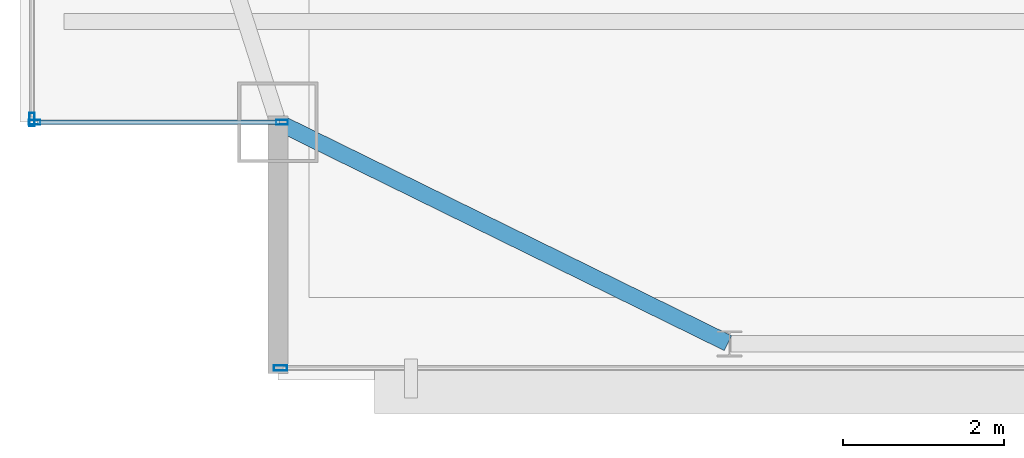
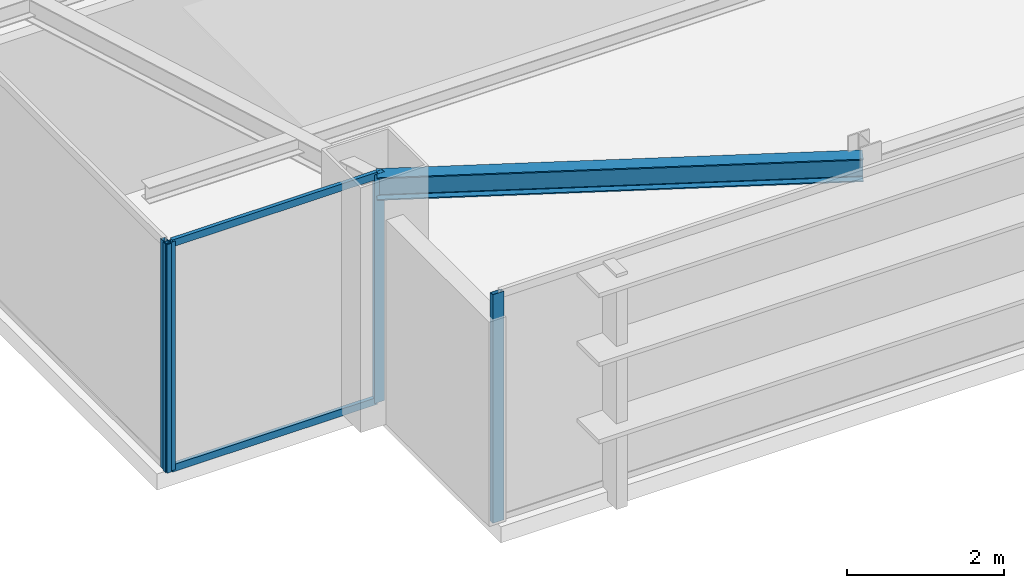
# One storey, part 4 of 24: 6 members, 1 beam, 3 elements without a shape of their own.
"""IFC4 building model written with IfcOpenShell, lengths in metres."""

from ifc_helpers import new_model, si_unit, direction, frame, origin, origin_2d, place, context, subcontext, project, spatial, hollow_rectangle, i_section, extrude, source, transform, mapped, material, layer, layer_set, material_profile, profile_set, type_object, type_shapes, element, aggregate, save


model = new_model("IFC4")

# Units and contexts
model_context = context("Model", 3, precision=1e-05, world=origin(), true_north=direction((0.0, 1.0)))
body_context = subcontext(model_context, "Body", "Model", "MODEL_VIEW")
ifc_project = project(units=[si_unit("LENGTHUNIT", "METRE"), si_unit("AREAUNIT", "SQUARE_METRE"), si_unit("VOLUMEUNIT", "CUBIC_METRE"), si_unit("PLANEANGLEUNIT", "RADIAN"), si_unit("MASSUNIT", "GRAM", prefix="KILO")], contexts=[model_context])

# Site, building, storey
site_placement = place(None, origin())
site = spatial("IfcSite", under=ifc_project, at=site_placement, CompositionType="ELEMENT")
building_placement = place(site_placement, origin())
building = spatial("IfcBuilding", under=site, at=building_placement, Name="Varnel Quay Broadcast Tower", CompositionType="ELEMENT")
storey_placement = place(building_placement, frame((0.0, 0.0, 262.199951171875)))
storey = spatial("IfcBuildingStorey", under=building, at=storey_placement, Name="L65", CompositionType="ELEMENT", Elevation=262.199951171875)

# Beam
ifc_material_1 = material(Name="Structural Steel CSA G40.21 350W", Category="steel")
ifc_material_profile_1 = material_profile(ifc_material_1, i_section(OverallWidth=0.205078125, OverallDepth=0.35400390625, WebThickness=0.009521484375, FlangeThickness=0.016845703125, FilletRadius=0.012939453125, at=origin_2d()), Name="W360X79")
ifc_profile_set_1 = profile_set([ifc_material_profile_1], Name="Structural Steel CSA G40.21 350W")
beam_type = type_object("IfcBeamType", Name="Beam_W360X79", PredefinedType="SPANDREL", material=ifc_profile_set_1)
shared_shape_1 = source(origin(), body_context, "Body", "SweptSolid", [
    extrude(i_section(OverallWidth=0.205078125, OverallDepth=0.35400390625, WebThickness=0.009521484375, FlangeThickness=0.016845703125, FilletRadius=0.012939453125, at=origin_2d()), origin(), (0.0, 0.0, 1.0), 6.19873046875),
])
type_shapes(beam_type, [shared_shape_1])
beam_placement = place(storey_placement, frame((15.218017578125, 16.39111328125, 3.373046875), z_axis=(0.897602447358, -0.440805905697, 0.0), x_axis=(0.440805905697, 0.897602447358, 0.0)))
element("IfcBeam", 1, at=beam_placement, inside=storey, type_object=beam_type, Name="L65 South Spandrel MC-SW-TC-S1", PredefinedType="SPANDREL", context=body_context, shape_type="MappedRepresentation", body=[
    mapped(shared_shape_1, transform((0.0, 0.0, 0.0), x_axis=(1.0, 0.0, 0.0), y_axis=(0.0, 1.0, 0.0), z_axis=(0.0, 0.0, 1.0), scale=1.0)),
])

# Curtain wall, members
ifc_material_2 = material(Name="Anodised Bronze Aluminium 6063-T6", Category="aluminium")
ifc_layer_1 = layer(ifc_material_2, 0.18994140625, Name="Anodised Bronze Aluminium 6063-T6")
ifc_layer_set_1 = layer_set([ifc_layer_1], Name="Anodised Bronze Aluminium 6063-T6")
curtain_wall_type_1 = type_object("IfcCurtainWallType", Name="CW_NotchCorner", PredefinedType="NOTDEFINED", material=ifc_layer_set_1)
curtain_wall_1_placement = place(storey_placement, origin())
curtain_wall_1 = element("IfcCurtainWall", 2, at=curtain_wall_1_placement, inside=storey, type_object=curtain_wall_type_1, Name="L65 SW Notch Curtain Wall", PredefinedType="NOTDEFINED")
ifc_material_profile_2 = material_profile(ifc_material_2, hollow_rectangle(XDim=0.06005859375, YDim=0.14501953125, WallThickness=0.00341796875, at=origin_2d()), Name="ALU60X145X3.5")
ifc_profile_set_2 = profile_set([ifc_material_profile_2], Name="Anodised Bronze Aluminium 6063-T6")
member_type_1 = type_object("IfcMemberType", Name="Mull_CWS-04", PredefinedType="MULLION", material=ifc_profile_set_2)
shared_shape_2 = source(origin(), body_context, "Body", "SweptSolid", [
    extrude(hollow_rectangle(XDim=0.06005859375, YDim=0.14501953125, WallThickness=0.00341796875, at=origin_2d()), origin(), (0.0, 0.0, 1.0), 3.550048828125),
])
type_shapes(member_type_1, [shared_shape_2])
member_1_placement = place(storey_placement, frame((12.179931640625, 16.39990234375, 0.0), z_axis=(0.0, 0.0, 1.0), x_axis=(0.0, 1.0, 0.0)))
member_1 = element("IfcMember", 3, at=member_1_placement, type_object=member_type_1, Name="CWS-04 mullion 1", PredefinedType="MULLION", context=body_context, shape_type="MappedRepresentation", body=[
    mapped(shared_shape_2, transform((0.0, 0.0, 0.0), x_axis=(1.0, 0.0, 0.0), y_axis=(0.0, 1.0, 0.0), z_axis=(0.0, 0.0, 1.0), scale=1.0)),
])
member_2_placement = place(storey_placement, frame((15.25, 16.39990234375, 0.0), z_axis=(0.0, 0.0, 1.0), x_axis=(0.0, 1.0, 0.0)))
member_2 = element("IfcMember", 4, at=member_2_placement, type_object=member_type_1, Name="CWS-04 mullion 2", PredefinedType="MULLION", context=body_context, shape_type="MappedRepresentation", body=[
    mapped(shared_shape_2, transform((0.0, 0.0, 0.0), x_axis=(1.0, 0.0, 0.0), y_axis=(0.0, 1.0, 0.0), z_axis=(0.0, 0.0, 1.0), scale=1.0)),
])

# Curtain wall, member
ifc_layer_2 = layer(ifc_material_2, 0.18994140625, Name="Anodised Bronze Aluminium 6063-T6")
ifc_layer_set_2 = layer_set([ifc_layer_2], Name="Anodised Bronze Aluminium 6063-T6")
curtain_wall_type_2 = type_object("IfcCurtainWallType", Name="CW_UpperTower", PredefinedType="NOTDEFINED", material=ifc_layer_set_2)
curtain_wall_2_placement = place(storey_placement, origin())
curtain_wall_2 = element("IfcCurtainWall", 5, at=curtain_wall_2_placement, inside=storey, type_object=curtain_wall_type_2, Name="L65 South Unitised Curtain Wall 1", PredefinedType="NOTDEFINED")
ifc_material_profile_3 = material_profile(ifc_material_2, hollow_rectangle(XDim=0.06494140625, YDim=0.1650390625, WallThickness=0.00341796875, at=origin_2d()), Name="ALU65X165X3.5")
ifc_profile_set_3 = profile_set([ifc_material_profile_3], Name="Anodised Bronze Aluminium 6063-T6")
member_type_2 = type_object("IfcMemberType", Name="Mull_CWS-03", PredefinedType="MULLION", material=ifc_profile_set_3)
shared_shape_3 = source(origin(), body_context, "Body", "SweptSolid", [
    extrude(hollow_rectangle(XDim=0.06494140625, YDim=0.1650390625, WallThickness=0.00341796875, at=origin_2d()), origin(), (0.0, 0.0, 1.0), 3.550048828125),
])
type_shapes(member_type_2, [shared_shape_3])
member_3_placement = place(storey_placement, frame((15.232421875, 13.35009765625, 0.0), z_axis=(0.0, 0.0, 1.0), x_axis=(0.0, 1.0, 0.0)))
member_3 = element("IfcMember", 6, at=member_3_placement, type_object=member_type_2, Name="CWS-03 mullion 1", PredefinedType="MULLION", context=body_context, shape_type="MappedRepresentation", body=[
    mapped(shared_shape_3, transform((0.0, 0.0, 0.0), x_axis=(1.0, 0.0, 0.0), y_axis=(0.0, 1.0, 0.0), z_axis=(0.0, 0.0, 1.0), scale=1.0)),
])
aggregate(curtain_wall_2, [member_3])

curtain_wall_3_placement = place(storey_placement, origin())
curtain_wall_3 = element("IfcCurtainWall", 7, at=curtain_wall_3_placement, inside=storey, type_object=curtain_wall_type_2, Name="L65 West Unitised Curtain Wall", PredefinedType="NOTDEFINED")
member_4_placement = place(storey_placement, frame((12.14990234375, 16.4326171875, 0.0), z_axis=(0.0, 0.0, 1.0), x_axis=(-1.0, 0.0, 0.0)))
member_4 = element("IfcMember", 8, at=member_4_placement, type_object=member_type_2, Name="CWS-03 mullion 1", PredefinedType="MULLION", context=body_context, shape_type="MappedRepresentation", body=[
    mapped(shared_shape_3, transform((0.0, 0.0, 0.0), x_axis=(1.0, 0.0, 0.0), y_axis=(0.0, 1.0, 0.0), z_axis=(0.0, 0.0, 1.0), scale=1.0)),
])
aggregate(curtain_wall_3, [member_4])

# Member
ifc_material_profile_4 = material_profile(ifc_material_2, hollow_rectangle(XDim=0.054931640625, YDim=0.110107421875, WallThickness=0.0029296875, at=origin_2d()), Name="ALU55X110X3")
ifc_profile_set_4 = profile_set([ifc_material_profile_4], Name="Anodised Bronze Aluminium 6063-T6")
member_type_3 = type_object("IfcMemberType", Name="Tran_CWS-04", PredefinedType="USERDEFINED", material=ifc_profile_set_4)
shared_shape_4 = source(origin(), body_context, "Body", "SweptSolid", [
    extrude(hollow_rectangle(XDim=0.054931640625, YDim=0.110107421875, WallThickness=0.0029296875, at=origin_2d()), origin(), (0.0, 0.0, 1.0), 3.010009765625),
])
type_shapes(member_type_3, [shared_shape_4])
member_5_placement = place(storey_placement, frame((12.2099609375, 16.39990234375, 0.027587890625), z_axis=(1.0, 0.0, 0.0), x_axis=(0.0, 1.0, 0.0)))
member_5 = element("IfcMember", 9, at=member_5_placement, type_object=member_type_3, Name="CWS-04 transom 1.1", ObjectType="TRANSOM", PredefinedType="USERDEFINED", context=body_context, shape_type="MappedRepresentation", body=[
    mapped(shared_shape_4, transform((0.0, 0.0, 0.0), x_axis=(1.0, 0.0, 0.0), y_axis=(0.0, 1.0, 0.0), z_axis=(0.0, 0.0, 1.0), scale=1.0)),
])

member_6_placement = place(storey_placement, frame((12.2099609375, 16.39990234375, 3.5224609375), z_axis=(1.0, 0.0, 0.0), x_axis=(0.0, 1.0, 0.0)))
member_6 = element("IfcMember", 10, at=member_6_placement, type_object=member_type_3, Name="CWS-04 transom 1.2", ObjectType="TRANSOM", PredefinedType="USERDEFINED", context=body_context, shape_type="MappedRepresentation", body=[
    mapped(shared_shape_4, transform((0.0, 0.0, 0.0), x_axis=(1.0, 0.0, 0.0), y_axis=(0.0, 1.0, 0.0), z_axis=(0.0, 0.0, 1.0), scale=1.0)),
])

aggregate(curtain_wall_1, [member_1, member_2, member_5, member_6])

save(model, "model.ifc")
